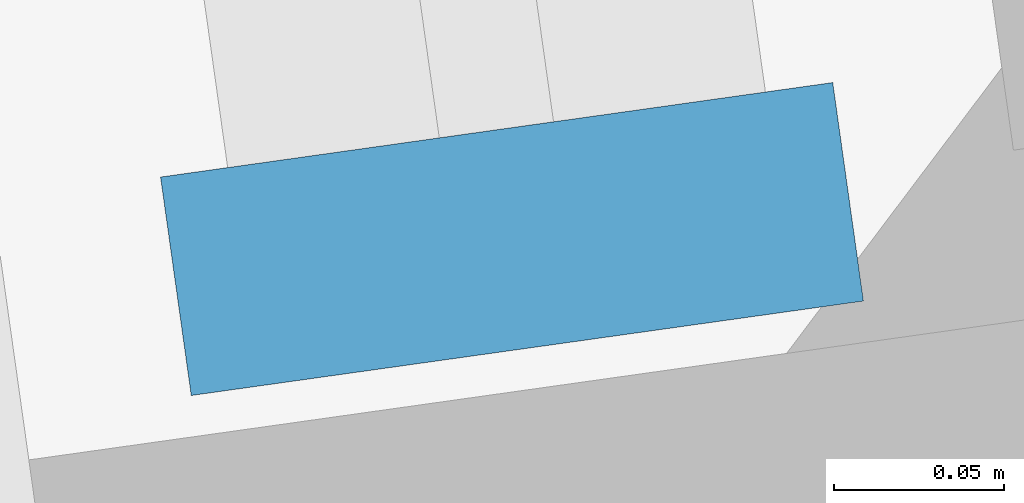
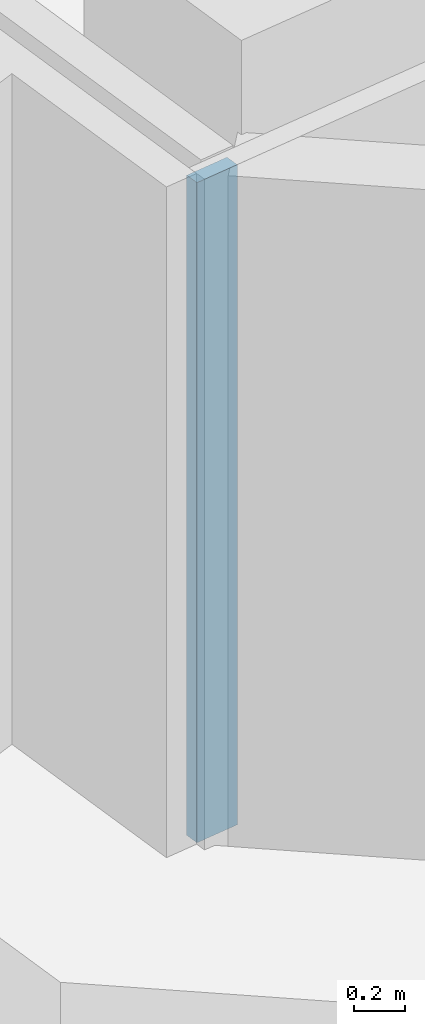
# One storey, part 19 of 49: 1 member, 1 element without a shape of its own.
"""IFC4 building model written with IfcOpenShell, lengths in metres."""

from ifc_helpers import new_model, si_unit, direction, frame, origin, origin_2d, place, context, subcontext, project, spatial, rectangle, extrude, material, material_profile, profile_set, type_object, element, aggregate, save


model = new_model("IFC4")

# Units and contexts
model_context = context("Model", 3, precision=1e-05, world=origin(), true_north=direction((0.0, 1.0)))
body_context = subcontext(model_context, "Body", "Model", "MODEL_VIEW")
ifc_project = project(units=[si_unit("LENGTHUNIT", "METRE"), si_unit("AREAUNIT", "SQUARE_METRE"), si_unit("VOLUMEUNIT", "CUBIC_METRE"), si_unit("PLANEANGLEUNIT", "RADIAN"), si_unit("MASSUNIT", "GRAM", prefix="KILO")], contexts=[model_context])

# Site, building, storey
site_placement = place(None, origin())
site = spatial("IfcSite", under=ifc_project, at=site_placement, CompositionType="ELEMENT")
building_placement = place(site_placement, origin())
building = spatial("IfcBuilding", under=site, at=building_placement, Name="Mirante Cascada Hotel Towers", CompositionType="ELEMENT")
storey_placement = place(building_placement, frame((0.0, 0.0, 66.1)))
storey = spatial("IfcBuildingStorey", under=building, at=storey_placement, Name="L13", CompositionType="ELEMENT", Elevation=66.1)

# Curtain wall, member
ifc_material_1 = material(Name="Aluminium mullion and transom frame with clear laminated glass", Category="aluminium")
curtain_wall_type = type_object("IfcCurtainWallType", Name="End ribbon curtain wall ECW2", PredefinedType="NOTDEFINED", material=ifc_material_1)
curtain_wall_placement = place(storey_placement, origin())
curtain_wall = element("IfcCurtainWall", 1, at=curtain_wall_placement, inside=storey, type_object=curtain_wall_type, Name="Inner end wall T2 L13", PredefinedType="NOTDEFINED")
ifc_material_2 = material(Name="Anodised aluminium extrusion", Category="aluminium")
ifc_material_profile = material_profile(ifc_material_2, rectangle(XDim=0.2, YDim=0.065, at=origin_2d()), Name="ECW2 MULLION 65x200")
ifc_profile_set = profile_set([ifc_material_profile], Name="Anodised aluminium extrusion")
member_type = type_object("IfcMemberType", Name="ECW2 mullion 65x200", PredefinedType="MULLION", material=ifc_profile_set)
member_placement = place(storey_placement, frame((32.1534, -16.2443, 0.1), z_axis=(0.0, 0.0, 1.0), x_axis=(0.9902681, 0.1391731, 0.0)))
member = element("IfcMember", 2, at=member_placement, type_object=member_type, Name="ECW2 mullion 7", PredefinedType="MULLION", context=body_context, shape_type="SweptSolid", body=[
    extrude(rectangle(XDim=0.2, YDim=0.065, at=origin_2d()), origin(), (0.0, 0.0, 1.0), 3.15),
])
aggregate(curtain_wall, [member])

save(model, "model.ifc")
